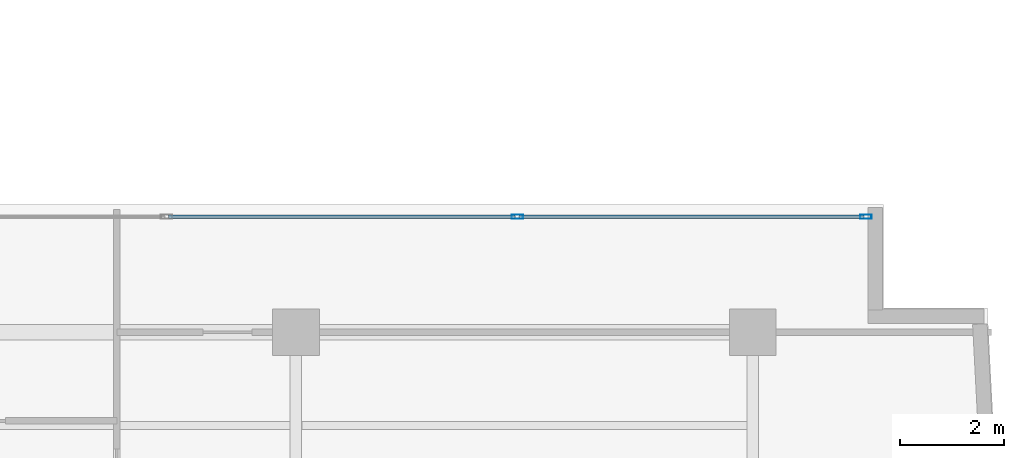
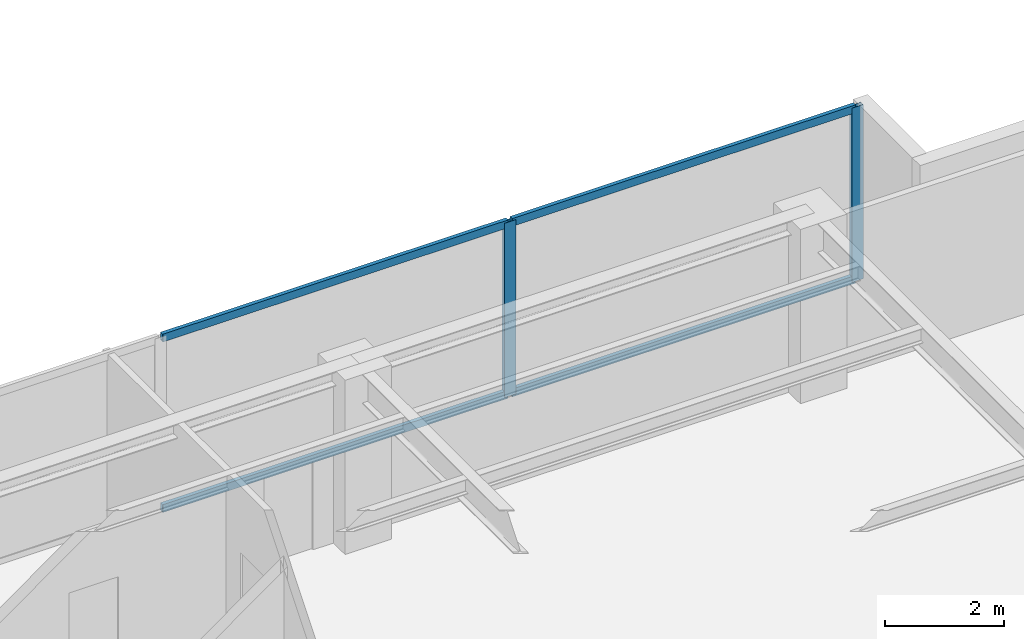
# One storey, part 12 of 22: 6 members, 1 element without a shape of its own.
"""IFC4 building model written with IfcOpenShell, lengths in metres."""

import ifcopenshell
import ifcopenshell.guid

model = None  # the IFC model being written
_history = None  # IfcOwnerHistory: only IFC2X3 demands one
_inside = {}  # id of a spatial element -> (the spatial element, [elements in it])
_under = {}  # id of a project, library or spatial element -> (it, [spatial elements below it])
_declared = {}  # id of a project -> (the project, [libraries it declares])
_typed = {}  # id of a type object -> (the type object, [elements of that type])
_made_of = {}  # id of a material, layer set ... -> (it, [elements and type objects made of it])


def new_model(schema):
    """Start an empty IFC model of exactly this schema.

    Asked for "IFC4X3", IfcOpenShell would pick the latest addendum, in which some entities
    have other attributes; the version numbers below select the first issue.
    IFC2X3 requires an IfcOwnerHistory on every rooted entity: one is made here for all.
    """
    global model, _history
    if schema == "IFC4X3":
        model = ifcopenshell.file(schema_version=(4, 3, 0, 0))
    else:
        model = ifcopenshell.file(schema=schema)
    _inside.clear()
    _under.clear()
    _declared.clear()
    _typed.clear()
    _made_of.clear()
    _history = None
    if model.schema == "IFC2X3":
        org = make("IfcOrganization", Name="unknown")
        user = make(
            "IfcPersonAndOrganization",
            ThePerson=make("IfcPerson", FamilyName="unknown"),
            TheOrganization=org,
        )
        app = make(
            "IfcApplication",
            ApplicationDeveloper=org,
            Version="unknown",
            ApplicationFullName="unknown",
            ApplicationIdentifier="unknown",
        )
        _history = make(
            "IfcOwnerHistory",
            OwningUser=user,
            OwningApplication=app,
            ChangeAction="ADDED",
            CreationDate=0,
        )
    return model


def make(cls, **values):
    """One entity of the class cls with the attributes given. An attribute that is None is left unset."""
    return model.create_entity(
        cls, **{name: value for name, value in values.items() if value is not None}
    )


def rooted(cls, **values):
    """An entity with a GlobalId (a new one), such as an element, a storey or a relation."""
    return make(cls, GlobalId=ifcopenshell.guid.new(), OwnerHistory=_history, **values)


def si_unit(unit_type, name, prefix=None):
    """IfcSIUnit, for example si_unit("LENGTHUNIT", "METRE", prefix="MILLI")."""
    return make("IfcSIUnit", UnitType=unit_type, Prefix=prefix, Name=name)


def assignment(units):
    """IfcUnitAssignment: the units of a project."""
    return None if units is None else make("IfcUnitAssignment", Units=units)


def point(xyz):
    """IfcCartesianPoint."""
    return None if xyz is None else make("IfcCartesianPoint", Coordinates=xyz)


def direction(xyz):
    """IfcDirection."""
    return None if xyz is None else make("IfcDirection", DirectionRatios=xyz)


def frame(location, z_axis=None, x_axis=None):
    """IfcAxis2Placement3D, a coordinate frame: its origin and axes. An axis left out is left unset."""
    return make(
        "IfcAxis2Placement3D",
        Location=point(location),
        Axis=direction(z_axis),
        RefDirection=direction(x_axis),
    )


def frame_2d(location, x_axis=None):
    """IfcAxis2Placement2D, a coordinate frame in the plane: its origin and x axis."""
    return make(
        "IfcAxis2Placement2D", Location=point(location), RefDirection=direction(x_axis)
    )


def origin():
    """The frame at (0, 0, 0) with its axes left unset."""
    return frame((0.0, 0.0, 0.0))


def origin_with_axes():
    """The frame at (0, 0, 0) with the z axis (0, 0, 1) and the x axis (1, 0, 0) written out."""
    return frame((0.0, 0.0, 0.0), z_axis=(0.0, 0.0, 1.0), x_axis=(1.0, 0.0, 0.0))


def origin_2d():
    """The frame at (0, 0) in the plane with its x axis left unset."""
    return frame_2d((0.0, 0.0))


def place(relative_to, where):
    """IfcLocalPlacement: puts the frame where relative to a parent placement (None: the world)."""
    return make(
        "IfcLocalPlacement", PlacementRelTo=relative_to, RelativePlacement=where
    )


def context(
    kind, dimensions, precision=None, world=None, true_north=None, identifier=None
):
    """IfcGeometricRepresentationContext, for example the 3D "Model" context."""
    return make(
        "IfcGeometricRepresentationContext",
        ContextIdentifier=identifier,
        ContextType=kind,
        CoordinateSpaceDimension=dimensions,
        Precision=precision,
        WorldCoordinateSystem=world,
        TrueNorth=true_north,
    )


def subcontext(parent, identifier, kind, view, scale=None):
    """IfcGeometricRepresentationSubContext, for example "Body" below "Model"."""
    return make(
        "IfcGeometricRepresentationSubContext",
        ContextIdentifier=identifier,
        ContextType=kind,
        ParentContext=parent,
        TargetScale=scale,
        TargetView=view,
    )


def project(units=None, contexts=None):
    """IfcProject with its units and contexts."""
    return rooted(
        "IfcProject",
        Name="project",
        RepresentationContexts=contexts,
        UnitsInContext=assignment(units),
    )


def spatial(cls, under=None, at=None, **own):
    """A site, building, storey or space (cls), placed at a placement, below another one or the project."""
    s = rooted(cls, ObjectPlacement=at, **own)
    if under is not None:
        _under.setdefault(under.id(), (under, []))[1].append(s)
    return s


def profile(cls, at=None, kind="AREA", **sizes):
    """A parametric profile (cls). Its sizes go by their IFC names, for example OverallWidth=200.0."""
    return make(cls, ProfileType=kind, Position=at, **sizes)


def hollow_rectangle(**sizes):
    """IfcRectangleHollowProfileDef."""
    return profile("IfcRectangleHollowProfileDef", **sizes)


def extrude(swept, where, along, depth):
    """IfcExtrudedAreaSolid: the profile swept, set in the frame where, extruded along a direction by depth."""
    return make(
        "IfcExtrudedAreaSolid",
        SweptArea=swept,
        Position=where,
        ExtrudedDirection=direction(along),
        Depth=depth,
    )


def shape(context_of_items, identifier, shape_type, items):
    """IfcShapeRepresentation: the items that make up one representation, for example the "Body"."""
    return make(
        "IfcShapeRepresentation",
        ContextOfItems=context_of_items,
        RepresentationIdentifier=identifier,
        RepresentationType=shape_type,
        Items=items,
    )


def source(mapping_origin, context_of_items, identifier, shape_type, items):
    """IfcRepresentationMap: a shape defined once, which mapped items show again and again."""
    return make(
        "IfcRepresentationMap",
        MappingOrigin=mapping_origin,
        MappedRepresentation=shape(context_of_items, identifier, shape_type, items),
    )


def transform(
    local_origin,
    x_axis=None,
    y_axis=None,
    z_axis=None,
    scale=None,
    scale2=None,
    scale3=None,
    uniform=True,
):
    """IfcCartesianTransformationOperator3D, or its non-uniform kind. x_axis, y_axis, z_axis: its Axis1, 2, 3."""
    if uniform:
        return make(
            "IfcCartesianTransformationOperator3D",
            Axis1=direction(x_axis),
            Axis2=direction(y_axis),
            LocalOrigin=point(local_origin),
            Scale=scale,
            Axis3=direction(z_axis),
        )
    return make(
        "IfcCartesianTransformationOperator3DnonUniform",
        Axis1=direction(x_axis),
        Axis2=direction(y_axis),
        LocalOrigin=point(local_origin),
        Scale=scale,
        Axis3=direction(z_axis),
        Scale2=scale2,
        Scale3=scale3,
    )


def mapped(mapping_source, mapping_target):
    """IfcMappedItem: shows the shape of a source again, moved by a transform."""
    return make(
        "IfcMappedItem", MappingSource=mapping_source, MappingTarget=mapping_target
    )


def material(Name=None, Category=None):
    """IfcMaterial."""
    return make("IfcMaterial", Name=Name, Category=Category)


def layer(
    of_material, thickness, ventilated=None, Name=None, Category=None, Priority=None
):
    """IfcMaterialLayer: one layer of a wall or slab, of a material (None: an air gap)."""
    return make(
        "IfcMaterialLayer",
        Material=of_material,
        LayerThickness=thickness,
        IsVentilated=ventilated,
        Name=Name,
        Category=Category,
        Priority=Priority,
    )


def layer_set(layers, Name=None):
    """IfcMaterialLayerSet."""
    return make("IfcMaterialLayerSet", MaterialLayers=layers, LayerSetName=Name)


def material_profile(
    of_material, cross_section, Name=None, Category=None, Priority=None
):
    """IfcMaterialProfile: a cross section and its material."""
    return make(
        "IfcMaterialProfile",
        Name=Name,
        Material=of_material,
        Profile=cross_section,
        Priority=Priority,
        Category=Category,
    )


def profile_set(profiles, Name=None, composite=None):
    """IfcMaterialProfileSet."""
    return make(
        "IfcMaterialProfileSet",
        Name=Name,
        MaterialProfiles=profiles,
        CompositeProfile=composite,
    )


def made_of(thing, what):
    """Note that an element or type object is made of a material, layer set ...; save() writes the relation."""
    if what is not None:
        _made_of.setdefault(what.id(), (what, []))[1].append(thing)
    return thing


def type_object(cls, material=None, **own):
    """A type object (cls), such as IfcWallType, which elements share."""
    return made_of(rooted(cls, **own), material)


def element(
    cls,
    number,
    at=None,
    inside=None,
    cuts=None,
    type_object=None,
    material=None,
    context=None,
    identifier="Body",
    shape_type=None,
    held_by="IfcProductDefinitionShape",
    body=None,
    shapes=None,
    **own,
):
    """One element of the class cls, such as IfcWall. Its Tag is "e" and its number.

    at: its placement. inside: the storey or other place that contains it. cuts: it is an
    opening in that element (IfcRelVoidsElement). A single representation is given by context,
    identifier, shape_type and body (its items); several are given by shapes. held_by: the class
    of the entity that holds the representations. save() writes the other relations.
    """
    e = rooted(cls, Tag="e%d" % number, ObjectPlacement=at, **own)
    if body is not None:
        shapes = [shape(context, identifier, shape_type, body)]
    if shapes is not None:
        e.Representation = make(held_by, Representations=shapes)
    if inside is not None:
        _inside.setdefault(inside.id(), (inside, []))[1].append(e)
    if cuts is not None:
        rooted(
            "IfcRelVoidsElement", RelatingBuildingElement=cuts, RelatedOpeningElement=e
        )
    if type_object is not None:
        _typed.setdefault(type_object.id(), (type_object, []))[1].append(e)
    return made_of(e, material)


def aggregate(whole, parts):
    """IfcRelAggregates: a whole, such as a stair, and the parts it consists of."""
    return rooted("IfcRelAggregates", RelatingObject=whole, RelatedObjects=parts)


def save(model, path):
    """Write the relations noted so far, then the file.

    IfcRelAggregates (storeys below a building ...), IfcRelContainedInSpatialStructure (elements
    in a storey), IfcRelDefinesByType, IfcRelAssociatesMaterial and IfcRelDeclares: one each for
    every whole, place, type object, material and project.
    """
    for whole, parts in _under.values():
        aggregate(whole, parts)
    for where, things in _inside.values():
        rooted(
            "IfcRelContainedInSpatialStructure",
            RelatedElements=things,
            RelatingStructure=where,
        )
    for kind, things in _typed.values():
        rooted("IfcRelDefinesByType", RelatedObjects=things, RelatingType=kind)
    for what, things in _made_of.values():
        rooted("IfcRelAssociatesMaterial", RelatedObjects=things, RelatingMaterial=what)
    for by, libraries in _declared.values():
        rooted("IfcRelDeclares", RelatingContext=by, RelatedDefinitions=libraries)
    model.write(path)


model = new_model("IFC4")

# Units and contexts
model_context = context("Model", 3, precision=1e-05, world=origin(), true_north=direction((0.0, 1.0)))
body_context = subcontext(model_context, "Body", "Model", "MODEL_VIEW")
ifc_project = project(units=[si_unit("LENGTHUNIT", "METRE"), si_unit("AREAUNIT", "SQUARE_METRE"), si_unit("VOLUMEUNIT", "CUBIC_METRE"), si_unit("PLANEANGLEUNIT", "RADIAN"), si_unit("MASSUNIT", "GRAM", prefix="KILO")], contexts=[model_context])

# Site, building, storey
site_placement = place(None, origin())
site = spatial("IfcSite", under=ifc_project, at=site_placement, CompositionType="ELEMENT")
building_placement = place(site_placement, origin())
building = spatial("IfcBuilding", under=site, at=building_placement, Name="Kolvaren Waterfront Exchange", CompositionType="ELEMENT")
storey_placement = place(building_placement, frame((0.0, 0.0, 312.199951171875)))
storey = spatial("IfcBuildingStorey", under=building, at=storey_placement, Name="L80", CompositionType="ELEMENT", Elevation=312.199951171875)

# Curtain wall, members
ifc_material_1 = material(Name="Anodised bronze aluminium 6063-T6", Category="aluminium")
ifc_layer = layer(ifc_material_1, 0.219970703125, Name="Anodised bronze aluminium 6063-T6")
ifc_layer_set = layer_set([ifc_layer], Name="Anodised bronze aluminium 6063-T6")
curtain_wall_type = type_object("IfcCurtainWallType", Name="ARC-CW-SYS1", PredefinedType="USERDEFINED", material=ifc_layer_set)
curtain_wall_placement = place(storey_placement, origin())
curtain_wall = element("IfcCurtainWall", 1, at=curtain_wall_placement, inside=storey, type_object=curtain_wall_type, Name="L80 stick curtain wall CW1 (CW-L80-EN)", ObjectType="STICK CURTAIN WALL", PredefinedType="USERDEFINED")
ifc_material_2 = material(Name="Anodised aluminium 6063-T6", Category="aluminium")
ifc_material_profile_1 = material_profile(ifc_material_2, hollow_rectangle(XDim=0.080078125, YDim=0.219970703125, WallThickness=0.0048828125, at=origin_2d()), Name="ALU-MUL-220x80x5")
ifc_profile_set_1 = profile_set([ifc_material_profile_1], Name="Anodised aluminium 6063-T6")
member_type_1 = type_object("IfcMemberType", Name="ARC-CWM-220", PredefinedType="MULLION", material=ifc_profile_set_1)
shared_shape_1 = source(origin_with_axes(), body_context, "Body", "SweptSolid", [
    extrude(hollow_rectangle(XDim=0.080078125, YDim=0.219970703125, WallThickness=0.0048828125, at=origin_2d()), origin(), (0.0, 0.0, 1.0), 3.56005859375),
])
member_1_placement = place(storey_placement, frame((41.065185546875, 19.623291015625, 0.0), z_axis=(0.0, 0.0, 1.0), x_axis=(0.0, 1.0, 0.0)))
member_1 = element("IfcMember", 2, at=member_1_placement, type_object=member_type_1, Name="CW1 mullion 3", PredefinedType="MULLION", context=body_context, shape_type="MappedRepresentation", body=[
    mapped(shared_shape_1, transform((0.0, 0.0, 0.0), x_axis=(1.0, 0.0, 0.0), y_axis=(0.0, 1.0, 0.0), z_axis=(0.0, 0.0, 1.0), scale=1.0)),
])
member_2_placement = place(storey_placement, frame((47.781005859375, 19.623291015625, 0.0), z_axis=(0.0, 0.0, 1.0), x_axis=(0.0, 1.0, 0.0)))
member_2 = element("IfcMember", 3, at=member_2_placement, type_object=member_type_1, Name="CW1 mullion 4", PredefinedType="MULLION", context=body_context, shape_type="MappedRepresentation", body=[
    mapped(shared_shape_1, transform((0.0, 0.0, 0.0), x_axis=(1.0, 0.0, 0.0), y_axis=(0.0, 1.0, 0.0), z_axis=(0.0, 0.0, 1.0), scale=1.0)),
])
ifc_material_profile_2 = material_profile(ifc_material_2, hollow_rectangle(XDim=0.074951171875, YDim=0.159912109375, WallThickness=0.00439453125, at=origin_2d()), Name="ALU-TRN-160x75x4.5")
ifc_profile_set_2 = profile_set([ifc_material_profile_2], Name="Anodised aluminium 6063-T6")
member_type_2 = type_object("IfcMemberType", Name="ARC-CWT-160", PredefinedType="USERDEFINED", material=ifc_profile_set_2)
shared_shape_2 = source(origin_with_axes(), body_context, "Body", "SweptSolid", [
    extrude(hollow_rectangle(XDim=0.074951171875, YDim=0.159912109375, WallThickness=0.00439453125, at=origin_2d()), origin(), (0.0, 0.0, 1.0), 6.635986328125),
])
member_3_placement = place(storey_placement, frame((41.105224609375, 19.623291015625, 0.03759765625), z_axis=(1.0, 0.0, 0.0), x_axis=(0.0, 1.0, 0.0)))
member_3 = element("IfcMember", 4, at=member_3_placement, type_object=member_type_2, Name="CW1 transom 3.1", ObjectType="TRANSOM", PredefinedType="USERDEFINED", context=body_context, shape_type="MappedRepresentation", body=[
    mapped(shared_shape_2, transform((0.0, 0.0, 0.0), x_axis=(1.0, 0.0, 0.0), y_axis=(0.0, 1.0, 0.0), z_axis=(0.0, 0.0, 1.0), scale=1.0)),
])
member_4_placement = place(storey_placement, frame((41.105224609375, 19.623291015625, 3.5224609375), z_axis=(1.0, 0.0, 0.0), x_axis=(0.0, 1.0, 0.0)))
member_4 = element("IfcMember", 5, at=member_4_placement, type_object=member_type_2, Name="CW1 transom 3.2", ObjectType="TRANSOM", PredefinedType="USERDEFINED", context=body_context, shape_type="MappedRepresentation", body=[
    mapped(shared_shape_2, transform((0.0, 0.0, 0.0), x_axis=(1.0, 0.0, 0.0), y_axis=(0.0, 1.0, 0.0), z_axis=(0.0, 0.0, 1.0), scale=1.0)),
])
shared_shape_3 = source(origin_with_axes(), body_context, "Body", "SweptSolid", [
    extrude(hollow_rectangle(XDim=0.074951171875, YDim=0.159912109375, WallThickness=0.00439453125, at=origin_2d()), origin(), (0.0, 0.0, 1.0), 6.676025390625),
])
member_5_placement = place(storey_placement, frame((34.34912109375, 19.623291015625, 0.03759765625), z_axis=(1.0, 0.0, 0.0), x_axis=(0.0, 1.0, 0.0)))
member_5 = element("IfcMember", 6, at=member_5_placement, type_object=member_type_2, Name="CW1 transom 2.1", ObjectType="TRANSOM", PredefinedType="USERDEFINED", context=body_context, shape_type="MappedRepresentation", body=[
    mapped(shared_shape_3, transform((0.0, 0.0, 0.0), x_axis=(1.0, 0.0, 0.0), y_axis=(0.0, 1.0, 0.0), z_axis=(0.0, 0.0, 1.0), scale=1.0)),
])
member_6_placement = place(storey_placement, frame((34.34912109375, 19.623291015625, 3.5224609375), z_axis=(1.0, 0.0, 0.0), x_axis=(0.0, 1.0, 0.0)))
member_6 = element("IfcMember", 7, at=member_6_placement, type_object=member_type_2, Name="CW1 transom 2.2", ObjectType="TRANSOM", PredefinedType="USERDEFINED", context=body_context, shape_type="MappedRepresentation", body=[
    mapped(shared_shape_3, transform((0.0, 0.0, 0.0), x_axis=(1.0, 0.0, 0.0), y_axis=(0.0, 1.0, 0.0), z_axis=(0.0, 0.0, 1.0), scale=1.0)),
])
aggregate(curtain_wall, [member_1, member_2, member_5, member_6, member_3, member_4])

save(model, "model.ifc")
